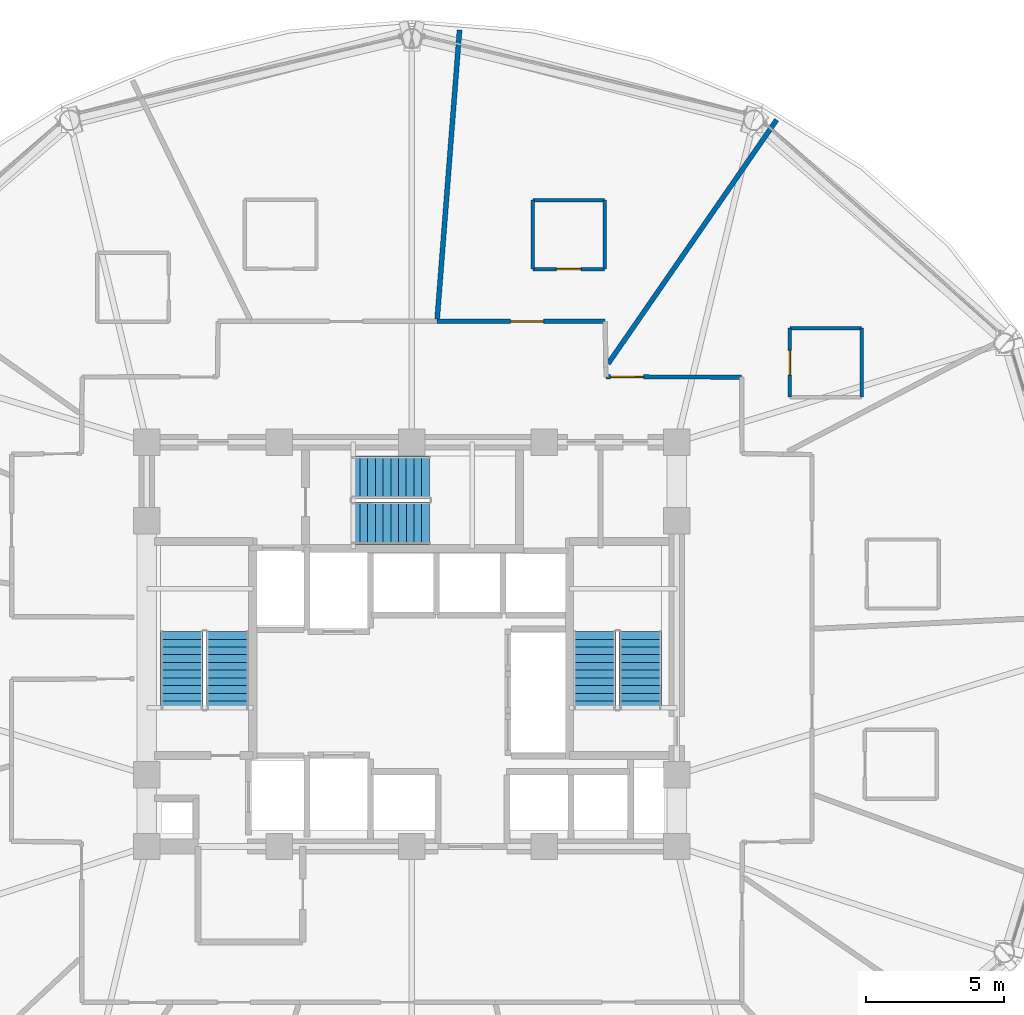
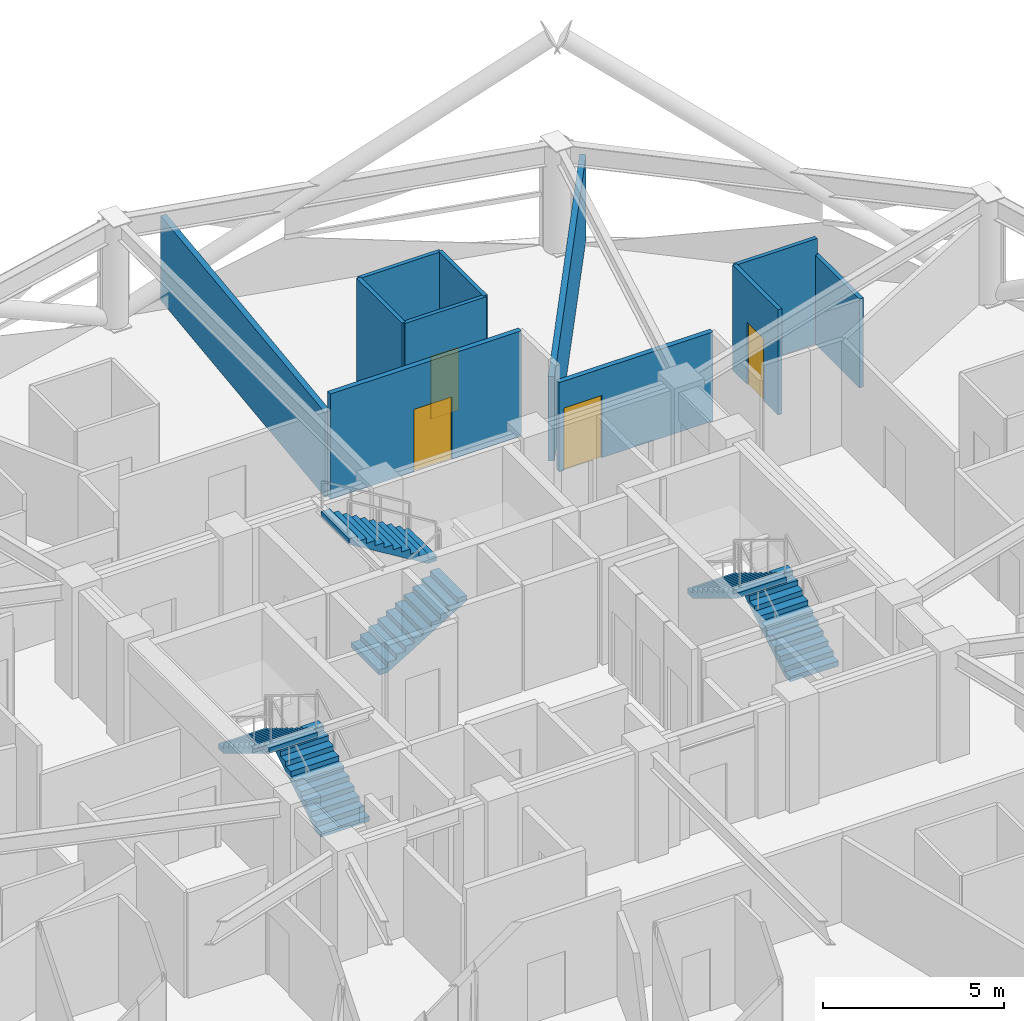
# One storey, part 25 of 29: 11 walls, 6 stair flights, 4 doors, 4 openings, 3 elements without a shape of their own.
"""IFC4 building model written with IfcOpenShell, lengths in metres."""

from ifc_helpers import new_model, si_unit, direction, frame, frame_2d, origin, place, context, subcontext, project, spatial, polyline, rectangle, outline, extrude, material, layer, layer_set, type_object, element, fill, aggregate, save


model = new_model("IFC4")

# Units and contexts
model_context = context("Model", 3, precision=1e-05, world=origin(), true_north=direction((0.0, 1.0)))
body_context = subcontext(model_context, "Body", "Model", "MODEL_VIEW")
ifc_project = project(units=[si_unit("LENGTHUNIT", "METRE"), si_unit("AREAUNIT", "SQUARE_METRE"), si_unit("VOLUMEUNIT", "CUBIC_METRE"), si_unit("PLANEANGLEUNIT", "RADIAN"), si_unit("MASSUNIT", "GRAM", prefix="KILO")], contexts=[model_context])

# Site, building, storey
site_placement = place(None, origin())
site = spatial("IfcSite", under=ifc_project, at=site_placement, CompositionType="ELEMENT")
building_placement = place(site_placement, origin())
building = spatial("IfcBuilding", under=site, at=building_placement, Name="Vantalir Tower", CompositionType="ELEMENT")
storey_placement = place(building_placement, frame((0.0, 0.0, 157.199951171875)))
storey = spatial("IfcBuildingStorey", under=building, at=storey_placement, Name="L39", CompositionType="ELEMENT", Elevation=157.199951171875)

# Wall
ifc_material_1 = material(Name="Moisture-resistant en-suite partition", Category="gypsum")
ifc_layer_1 = layer(ifc_material_1, 0.125)
ifc_layer_set_1 = layer_set([ifc_layer_1], Name="Moisture-resistant en-suite partition")
wall_type_1 = type_object("IfcWallType", Name="WL-BATH-125", PredefinedType="PARTITIONING", material=ifc_layer_set_1)
wall_1_placement = place(storey_placement, frame((45.198974609375, 36.580078125, 0.0), z_axis=(0.0, 0.0, 1.0), x_axis=(1.0, 0.0, 0.0)))
element("IfcWall", 1, at=wall_1_placement, inside=storey, type_object=wall_type_1, Name="L39 En-suite 02 North Wall", PredefinedType="PARTITIONING", context=body_context, shape_type="SweptSolid", body=[
    extrude(rectangle(XDim=2.60009765625, YDim=0.125, at=frame_2d((1.300048828125, 0.0))), origin(), (0.0, 0.0, 1.0), 3.550048828125),
])

# Wall, opening, door
wall_2_placement = place(storey_placement, frame((45.198974609375, 34.080078125, 0.0), z_axis=(0.0, 0.0, 1.0), x_axis=(0.0, 1.0, 0.0)))
wall_2 = element("IfcWall", 2, at=wall_2_placement, inside=storey, type_object=wall_type_1, Name="L39 En-suite 02 West Wall", PredefinedType="PARTITIONING", context=body_context, shape_type="SweptSolid", body=[
    extrude(rectangle(XDim=2.5, YDim=0.125, at=frame_2d((1.25, 0.0))), origin(), (0.0, 0.0, 1.0), 3.550048828125),
])
opening_1_placement = place(wall_2_placement, frame((0.800048828125, 0.0, 0.0)))
opening_1 = element("IfcOpeningElement", 3, at=opening_1_placement, cuts=wall_2, Name="Opening D-WC", PredefinedType="OPENING", context=body_context, shape_type="SweptSolid", body=[
    extrude(rectangle(XDim=0.89990234375, YDim=2.10009765625, at=frame_2d((0.449951171875, 1.050048828125))), frame((0.0, 0.072509765625, 0.0), z_axis=(0.0, -1.0, 0.0), x_axis=(1.0, 0.0, 0.0)), (0.0, 0.0, 1.0), 0.14501953125),
])
ifc_material_2 = material(Name="Moisture-resistant hardwood door", Category="wood")
door_type_1 = type_object("IfcDoorType", Name="DR-ENSUITE-900", OperationType="NOTDEFINED", PredefinedType="DOOR", material=ifc_material_2)
door_1_placement = place(opening_1_placement, frame((0.89990234375, 0.0, 0.0), z_axis=(0.0, 0.0, 1.0), x_axis=(-1.0, 0.0, 0.0)))
door_1 = element("IfcDoor", 4, at=door_1_placement, inside=storey, type_object=door_type_1, Name="L39 En-suite 02 Door", OperationType="SINGLE_SWING_RIGHT", OverallHeight=2.10009765625, OverallWidth=0.89990234375, PredefinedType="DOOR", context=body_context, shape_type="SweptSolid", body=[
    extrude(rectangle(XDim=0.89990234375, YDim=2.10009765625, at=frame_2d((0.449951171875, 1.050048828125))), frame((0.0, 0.02490234375, 0.0), z_axis=(0.0, -1.0, 0.0), x_axis=(1.0, 0.0, 0.0)), (0.0, 0.0, 1.0), 0.050048828125),
])
fill(opening_1, door_1)

# Wall
wall_3_placement = place(storey_placement, frame((47.799072265625, 34.080078125, 0.0), z_axis=(0.0, 0.0, 1.0), x_axis=(0.0, 1.0, 0.0)))
element("IfcWall", 5, at=wall_3_placement, inside=storey, type_object=wall_type_1, Name="L39 En-suite 02 East Wall", PredefinedType="PARTITIONING", context=body_context, shape_type="SweptSolid", body=[
    extrude(rectangle(XDim=2.5, YDim=0.125, at=frame_2d((1.25, 0.0))), origin(), (0.0, 0.0, 1.0), 3.006103515625),
])

# Wall, opening, door
wall_4_placement = place(storey_placement, frame((35.888916015625, 38.718994140625, 0.0), z_axis=(0.0, 0.0, 1.0), x_axis=(1.0, 0.0, 0.0)))
wall_4 = element("IfcWall", 6, at=wall_4_placement, inside=storey, type_object=wall_type_1, Name="L39 En-suite 03 South Wall", PredefinedType="PARTITIONING", context=body_context, shape_type="SweptSolid", body=[
    extrude(rectangle(XDim=2.60009765625, YDim=0.125, at=frame_2d((1.300048828125, 0.0))), origin(), (0.0, 0.0, 1.0), 3.550048828125),
])
opening_2_placement = place(wall_4_placement, frame((0.85009765625, 0.0, 0.0)))
opening_2 = element("IfcOpeningElement", 7, at=opening_2_placement, cuts=wall_4, Name="Opening D-WC", PredefinedType="OPENING", context=body_context, shape_type="SweptSolid", body=[
    extrude(rectangle(XDim=0.89990234375, YDim=2.10009765625, at=frame_2d((0.449951171875, 1.050048828125))), frame((0.0, 0.072509765625, 0.0), z_axis=(0.0, -1.0, 0.0), x_axis=(1.0, 0.0, 0.0)), (0.0, 0.0, 1.0), 0.14501953125),
])
door_2_placement = place(opening_2_placement, origin())
door_2 = element("IfcDoor", 8, at=door_2_placement, inside=storey, type_object=door_type_1, Name="L39 En-suite 03 Door", OperationType="SINGLE_SWING_LEFT", OverallHeight=2.10009765625, OverallWidth=0.89990234375, PredefinedType="DOOR", context=body_context, shape_type="SweptSolid", body=[
    extrude(rectangle(XDim=0.89990234375, YDim=2.10009765625, at=frame_2d((0.449951171875, 1.050048828125))), frame((0.0, 0.02490234375, 0.0), z_axis=(0.0, -1.0, 0.0), x_axis=(1.0, 0.0, 0.0)), (0.0, 0.0, 1.0), 0.050048828125),
])
fill(opening_2, door_2)

# Walls
wall_5_placement = place(storey_placement, frame((35.888916015625, 41.218994140625, 0.0), z_axis=(0.0, 0.0, 1.0), x_axis=(1.0, 0.0, 0.0)))
element("IfcWall", 9, at=wall_5_placement, inside=storey, type_object=wall_type_1, Name="L39 En-suite 03 North Wall", PredefinedType="PARTITIONING", context=body_context, shape_type="SweptSolid", body=[
    extrude(rectangle(XDim=2.60009765625, YDim=0.125, at=frame_2d((1.300048828125, 0.0))), origin(), (0.0, 0.0, 1.0), 3.550048828125),
])
for number, where, z_axis, x_axis, name in (
    (10, (35.888916015625, 38.718994140625, 0.0), (0.0, 0.0, 1.0), (0.0, 1.0, 0.0), "L39 En-suite 03 West Wall"),
    (11, (38.489013671875, 38.718994140625, 0.0), (0.0, 0.0, 1.0), (0.0, 1.0, 0.0), "L39 En-suite 03 East Wall"),
):
    element("IfcWall", number, at=place(storey_placement, frame(where, z_axis=z_axis, x_axis=x_axis)), inside=storey, type_object=wall_type_1, Name=name, PredefinedType="PARTITIONING", context=body_context, shape_type="SweptSolid", body=[
        extrude(rectangle(XDim=2.5, YDim=0.125, at=frame_2d((1.25, 0.0))), origin(), (0.0, 0.0, 1.0), 3.550048828125),
    ])

# Wall, opening, door
ifc_material_3 = material(Name="Fire-rated hotel corridor acoustic partition", Category="gypsum")
ifc_layer_2 = layer(ifc_material_3, 0.159912109375)
ifc_layer_set_2 = layer_set([ifc_layer_2], Name="Fire-rated hotel corridor acoustic partition")
wall_type_2 = type_object("IfcWallType", Name="WL-CORR-160", PredefinedType="PARTITIONING", material=ifc_layer_set_2)
wall_6_placement = place(storey_placement, frame((32.4140625, 36.825927734375, 0.0), z_axis=(0.0, 0.0, 1.0), x_axis=(0.999999987142, 0.000160359203, 0.0)))
wall_6 = element("IfcWall", 12, at=wall_6_placement, inside=storey, type_object=wall_type_2, Name="L39 Corridor Partition 12", PredefinedType="PARTITIONING", context=body_context, shape_type="SweptSolid", body=[
    extrude(rectangle(XDim=6.08984375, YDim=0.159912109375, at=frame_2d((3.044921875, 0.0))), origin(), (0.0, 0.0, 1.0), 3.550048828125),
])
opening_3_placement = place(wall_6_placement, frame((2.666015625, 0.0, 0.0)))
opening_3 = element("IfcOpeningElement", 13, at=opening_3_placement, cuts=wall_6, Name="Opening D-STE", PredefinedType="OPENING", context=body_context, shape_type="SweptSolid", body=[
    extrude(rectangle(XDim=1.199951171875, YDim=2.10009765625, at=frame_2d((0.60009765625, 1.050048828125))), frame((0.0, 0.08984375, 0.0), z_axis=(0.0, -1.0, 0.0), x_axis=(1.0, 0.0, 0.0)), (0.0, 0.0, 1.0), 0.179931640625),
])
ifc_material_4 = material(Name="Solid-core teak veneer suite entrance door", Category="wood")
door_type_2 = type_object("IfcDoorType", Name="DR-SUITE-ENTRY-1200", OperationType="NOTDEFINED", PredefinedType="DOOR", material=ifc_material_4)
door_3_placement = place(opening_3_placement, origin())
door_3 = element("IfcDoor", 14, at=door_3_placement, inside=storey, type_object=door_type_2, Name="L39 Corner Panorama Hotel Suite 03 Door", OperationType="SINGLE_SWING_RIGHT", OverallHeight=2.10009765625, OverallWidth=1.199951171875, PredefinedType="DOOR", context=body_context, shape_type="SweptSolid", body=[
    extrude(rectangle(XDim=1.199951171875, YDim=2.10009765625, at=frame_2d((0.60009765625, 1.050048828125))), frame((0.0, 0.02490234375, 0.0), z_axis=(0.0, -1.0, 0.0), x_axis=(1.0, 0.0, 0.0)), (0.0, 0.0, 1.0), 0.050048828125),
])
fill(opening_3, door_3)

wall_7_placement = place(storey_placement, frame((38.5400390625, 34.81494140625, 0.0), z_axis=(0.0, 0.0, 1.0), x_axis=(0.999999029632, -0.001393102783, 0.0)))
wall_7 = element("IfcWall", 15, at=wall_7_placement, inside=storey, type_object=wall_type_2, Name="L39 Corridor Partition 15", PredefinedType="PARTITIONING", context=body_context, shape_type="SweptSolid", body=[
    extrude(rectangle(XDim=4.906982421875, YDim=0.159912109375, at=frame_2d((2.45361328125, 0.0))), origin(), (0.0, 0.0, 1.0), 3.006103515625),
])
opening_4_placement = place(wall_7_placement, frame((0.159912109375, 0.0, 0.0)))
opening_4 = element("IfcOpeningElement", 16, at=opening_4_placement, cuts=wall_7, Name="Opening D-STE", PredefinedType="OPENING", context=body_context, shape_type="SweptSolid", body=[
    extrude(rectangle(XDim=1.199951171875, YDim=2.10009765625, at=frame_2d((0.60009765625, 1.050048828125))), frame((0.0, 0.08984375, 0.0), z_axis=(0.0, -1.0, 0.0), x_axis=(1.0, 0.0, 0.0)), (0.0, 0.0, 1.0), 0.179931640625),
])
door_4_placement = place(opening_4_placement, origin())
door_4 = element("IfcDoor", 17, at=door_4_placement, inside=storey, type_object=door_type_2, Name="L39 Executive Club Hotel Suite 02 Door", OperationType="SINGLE_SWING_LEFT", OverallHeight=2.10009765625, OverallWidth=1.199951171875, PredefinedType="DOOR", context=body_context, shape_type="SweptSolid", body=[
    extrude(rectangle(XDim=1.199951171875, YDim=2.10009765625, at=frame_2d((0.60009765625, 1.050048828125))), frame((0.0, 0.02490234375, 0.0), z_axis=(0.0, -1.0, 0.0), x_axis=(1.0, 0.0, 0.0)), (0.0, 0.0, 1.0), 0.050048828125),
])
fill(opening_4, door_4)

# Walls
ifc_material_5 = material(Name="Twin-stud acoustic fire-rated gypsum partition", Category="gypsum")
ifc_layer_3 = layer(ifc_material_5, 0.179931640625)
ifc_layer_set_3 = layer_set([ifc_layer_3], Name="Twin-stud acoustic fire-rated gypsum partition")
wall_type_3 = type_object("IfcWallType", Name="WL-GUEST-180", PredefinedType="PARTITIONING", material=ifc_layer_set_3)
wall_8_placement = place(storey_placement, frame((38.614990234375, 35.2958984375, 0.0), z_axis=(0.0, 0.0, 1.0), x_axis=(0.568530950042, 0.822661873946, 0.0)))
element("IfcWall", 18, at=wall_8_placement, inside=storey, type_object=wall_type_3, Name="L39 Radial Suite Partition 03", PredefinedType="PARTITIONING", context=body_context, shape_type="SweptSolid", body=[
    extrude(rectangle(XDim=10.734619140625, YDim=0.179931640625, at=frame_2d((5.3671875, 0.0))), origin(), (0.0, 0.0, 1.0), 2.85205078125),
])
wall_9_placement = place(storey_placement, frame((32.419921875, 36.902099609375, 0.0), z_axis=(0.0, 0.0, 1.0), x_axis=(0.077151140833, 0.997019408772, 0.0)))
element("IfcWall", 19, at=wall_9_placement, inside=storey, type_object=wall_type_3, Name="L39 Radial Suite Partition 04", PredefinedType="PARTITIONING", context=body_context, shape_type="SweptSolid", body=[
    extrude(rectangle(XDim=10.51220703125, YDim=0.179931640625, at=frame_2d((5.256103515625, 0.0))), origin(), (0.0, 0.0, 1.0), 2.85205078125),
])

# Stair, stair flights
ifc_material_6 = material(Name="Concrete C40/50", Category="concrete")
stair_type = type_object("IfcStairType", Name="STR-CORE-1450", PredefinedType="HALF_TURN_STAIR", material=ifc_material_6)
stair_1_placement = place(storey_placement, origin())
stair_1 = element("IfcStair", 20, at=stair_1_placement, inside=storey, type_object=stair_type, Name="L39 Core Exit Stair 1", PredefinedType="HALF_TURN_STAIR")
stair_flight_type = type_object("IfcStairFlightType", Name="FLT-CORE-1450", PredefinedType="STRAIGHT", material=ifc_material_6)
stair_flight_1_placement = place(storey_placement, frame((24.830078125, 22.7900390625, 0.0), z_axis=(0.0, 0.0, 1.0), x_axis=(0.0, 1.0, 0.0)))
stair_flight_1 = element("IfcStairFlight", 21, at=stair_flight_1_placement, type_object=stair_flight_type, Name="ST1 flight 1", NumberOfRisers=11, NumberOfTreads=10, PredefinedType="STRAIGHT", RiserHeight=0.170454545, TreadLength=0.28, context=body_context, shape_type="SweptSolid", body=[
    extrude(outline(polyline([(0.0, 0.0), (0.0, 0.17041015625), (0.280029296875, 0.17041015625), (0.280029296875, 0.3408203125), (0.56005859375, 0.3408203125), (0.56005859375, 0.511474609375), (0.840087890625, 0.511474609375), (0.840087890625, 0.681884765625), (1.1201171875, 0.681884765625), (1.1201171875, 0.852294921875), (1.39990234375, 0.852294921875), (1.39990234375, 1.022705078125), (1.679931640625, 1.022705078125), (1.679931640625, 1.193115234375), (1.9599609375, 1.193115234375), (1.9599609375, 1.363525390625), (2.239990234375, 1.363525390625), (2.239990234375, 1.5341796875), (2.52001953125, 1.5341796875), (2.52001953125, 1.70458984375), (2.800048828125, 1.70458984375), (2.800048828125, 1.875), (2.800048828125, 1.529052734375), (0.288330078125, 0.0), (0.0, 0.0)])), frame((0.0, 0.77001953125, 0.0), z_axis=(0.0, -1.0, 0.0), x_axis=(1.0, 0.0, 0.0)), (0.0, 0.0, 1.0), 1.5400390625),
])
stair_flight_2_placement = place(storey_placement, frame((23.169921875, 25.590087890625, 1.875), z_axis=(0.0, 0.0, 1.0), x_axis=(0.0, -1.0, 0.0)))
stair_flight_2 = element("IfcStairFlight", 22, at=stair_flight_2_placement, type_object=stair_flight_type, Name="ST1 flight 2", NumberOfRisers=11, NumberOfTreads=10, PredefinedType="STRAIGHT", RiserHeight=0.170454545, TreadLength=0.28, context=body_context, shape_type="SweptSolid", body=[
    extrude(outline(polyline([(0.0, 0.0), (0.0, 0.17041015625), (0.280029296875, 0.17041015625), (0.280029296875, 0.3408203125), (0.56005859375, 0.3408203125), (0.56005859375, 0.511474609375), (0.840087890625, 0.511474609375), (0.840087890625, 0.681884765625), (1.1201171875, 0.681884765625), (1.1201171875, 0.852294921875), (1.39990234375, 0.852294921875), (1.39990234375, 1.022705078125), (1.679931640625, 1.022705078125), (1.679931640625, 1.193115234375), (1.9599609375, 1.193115234375), (1.9599609375, 1.363525390625), (2.239990234375, 1.363525390625), (2.239990234375, 1.5341796875), (2.52001953125, 1.5341796875), (2.52001953125, 1.70458984375), (2.800048828125, 1.70458984375), (2.800048828125, 1.875), (2.800048828125, 1.529052734375), (0.288330078125, 0.0), (0.0, 0.0)])), frame((0.0, 0.77001953125, 0.0), z_axis=(0.0, -1.0, 0.0), x_axis=(1.0, 0.0, 0.0)), (0.0, 0.0, 1.0), 1.5400390625),
])
aggregate(stair_1, [stair_flight_1, stair_flight_2])

stair_2_placement = place(storey_placement, origin())
stair_2 = element("IfcStair", 23, at=stair_2_placement, inside=storey, type_object=stair_type, Name="L39 Core Exit Stair 2", PredefinedType="HALF_TURN_STAIR")
stair_flight_3_placement = place(storey_placement, frame((39.780029296875, 22.7900390625, 0.0), z_axis=(0.0, 0.0, 1.0), x_axis=(0.0, 1.0, 0.0)))
stair_flight_3 = element("IfcStairFlight", 24, at=stair_flight_3_placement, type_object=stair_flight_type, Name="ST2 flight 1", NumberOfRisers=11, NumberOfTreads=10, PredefinedType="STRAIGHT", RiserHeight=0.170454545, TreadLength=0.28, context=body_context, shape_type="SweptSolid", body=[
    extrude(outline(polyline([(0.0, 0.0), (0.0, 0.17041015625), (0.280029296875, 0.17041015625), (0.280029296875, 0.3408203125), (0.56005859375, 0.3408203125), (0.56005859375, 0.511474609375), (0.840087890625, 0.511474609375), (0.840087890625, 0.681884765625), (1.1201171875, 0.681884765625), (1.1201171875, 0.852294921875), (1.39990234375, 0.852294921875), (1.39990234375, 1.022705078125), (1.679931640625, 1.022705078125), (1.679931640625, 1.193115234375), (1.9599609375, 1.193115234375), (1.9599609375, 1.363525390625), (2.239990234375, 1.363525390625), (2.239990234375, 1.5341796875), (2.52001953125, 1.5341796875), (2.52001953125, 1.70458984375), (2.800048828125, 1.70458984375), (2.800048828125, 1.875), (2.800048828125, 1.529052734375), (0.288330078125, 0.0), (0.0, 0.0)])), frame((0.0, 0.77001953125, 0.0), z_axis=(0.0, -1.0, 0.0), x_axis=(1.0, 0.0, 0.0)), (0.0, 0.0, 1.0), 1.5400390625),
])
stair_flight_4_placement = place(storey_placement, frame((38.1201171875, 25.590087890625, 1.875), z_axis=(0.0, 0.0, 1.0), x_axis=(0.0, -1.0, 0.0)))
stair_flight_4 = element("IfcStairFlight", 25, at=stair_flight_4_placement, type_object=stair_flight_type, Name="ST2 flight 2", NumberOfRisers=11, NumberOfTreads=10, PredefinedType="STRAIGHT", RiserHeight=0.170454545, TreadLength=0.28, context=body_context, shape_type="SweptSolid", body=[
    extrude(outline(polyline([(0.0, 0.0), (0.0, 0.17041015625), (0.280029296875, 0.17041015625), (0.280029296875, 0.3408203125), (0.56005859375, 0.3408203125), (0.56005859375, 0.511474609375), (0.840087890625, 0.511474609375), (0.840087890625, 0.681884765625), (1.1201171875, 0.681884765625), (1.1201171875, 0.852294921875), (1.39990234375, 0.852294921875), (1.39990234375, 1.022705078125), (1.679931640625, 1.022705078125), (1.679931640625, 1.193115234375), (1.9599609375, 1.193115234375), (1.9599609375, 1.363525390625), (2.239990234375, 1.363525390625), (2.239990234375, 1.5341796875), (2.52001953125, 1.5341796875), (2.52001953125, 1.70458984375), (2.800048828125, 1.70458984375), (2.800048828125, 1.875), (2.800048828125, 1.529052734375), (0.288330078125, 0.0), (0.0, 0.0)])), frame((0.0, 0.77001953125, 0.0), z_axis=(0.0, -1.0, 0.0), x_axis=(1.0, 0.0, 0.0)), (0.0, 0.0, 1.0), 1.5400390625),
])
aggregate(stair_2, [stair_flight_3, stair_flight_4])

stair_3_placement = place(storey_placement, origin())
stair_3 = element("IfcStair", 26, at=stair_3_placement, inside=storey, type_object=stair_type, Name="L39 Core Exit Stair 3", PredefinedType="HALF_TURN_STAIR")
stair_flight_5_placement = place(storey_placement, frame((29.340087890625, 29.52001953125, 0.0), z_axis=(0.0, 0.0, 1.0), x_axis=(1.0, 0.0, 0.0)))
stair_flight_5 = element("IfcStairFlight", 27, at=stair_flight_5_placement, type_object=stair_flight_type, Name="ST3 flight 1", NumberOfRisers=11, NumberOfTreads=10, PredefinedType="STRAIGHT", RiserHeight=0.170454545, TreadLength=0.28, context=body_context, shape_type="SweptSolid", body=[
    extrude(outline(polyline([(0.0, 0.0), (0.0, 0.17041015625), (0.280029296875, 0.17041015625), (0.280029296875, 0.3408203125), (0.56005859375, 0.3408203125), (0.56005859375, 0.511474609375), (0.840087890625, 0.511474609375), (0.840087890625, 0.681884765625), (1.1201171875, 0.681884765625), (1.1201171875, 0.852294921875), (1.39990234375, 0.852294921875), (1.39990234375, 1.022705078125), (1.679931640625, 1.022705078125), (1.679931640625, 1.193115234375), (1.9599609375, 1.193115234375), (1.9599609375, 1.363525390625), (2.239990234375, 1.363525390625), (2.239990234375, 1.5341796875), (2.52001953125, 1.5341796875), (2.52001953125, 1.70458984375), (2.800048828125, 1.70458984375), (2.800048828125, 1.875), (2.800048828125, 1.529052734375), (0.288330078125, 0.0), (0.0, 0.0)])), frame((0.0, 0.77001953125, 0.0), z_axis=(0.0, -1.0, 0.0), x_axis=(1.0, 0.0, 0.0)), (0.0, 0.0, 1.0), 1.5400390625),
])
stair_flight_6_placement = place(storey_placement, frame((32.139892578125, 31.179931640625, 1.875), z_axis=(0.0, 0.0, 1.0), x_axis=(-1.0, 0.0, 0.0)))
stair_flight_6 = element("IfcStairFlight", 28, at=stair_flight_6_placement, type_object=stair_flight_type, Name="ST3 flight 2", NumberOfRisers=11, NumberOfTreads=10, PredefinedType="STRAIGHT", RiserHeight=0.170454545, TreadLength=0.28, context=body_context, shape_type="SweptSolid", body=[
    extrude(outline(polyline([(0.0, 0.0), (0.0, 0.17041015625), (0.280029296875, 0.17041015625), (0.280029296875, 0.3408203125), (0.56005859375, 0.3408203125), (0.56005859375, 0.511474609375), (0.840087890625, 0.511474609375), (0.840087890625, 0.681884765625), (1.1201171875, 0.681884765625), (1.1201171875, 0.852294921875), (1.39990234375, 0.852294921875), (1.39990234375, 1.022705078125), (1.679931640625, 1.022705078125), (1.679931640625, 1.193115234375), (1.9599609375, 1.193115234375), (1.9599609375, 1.363525390625), (2.239990234375, 1.363525390625), (2.239990234375, 1.5341796875), (2.52001953125, 1.5341796875), (2.52001953125, 1.70458984375), (2.800048828125, 1.70458984375), (2.800048828125, 1.875), (2.800048828125, 1.529052734375), (0.288330078125, 0.0), (0.0, 0.0)])), frame((0.0, 0.77001953125, 0.0), z_axis=(0.0, -1.0, 0.0), x_axis=(1.0, 0.0, 0.0)), (0.0, 0.0, 1.0), 1.5400390625),
])
aggregate(stair_3, [stair_flight_5, stair_flight_6])

save(model, "model.ifc")
